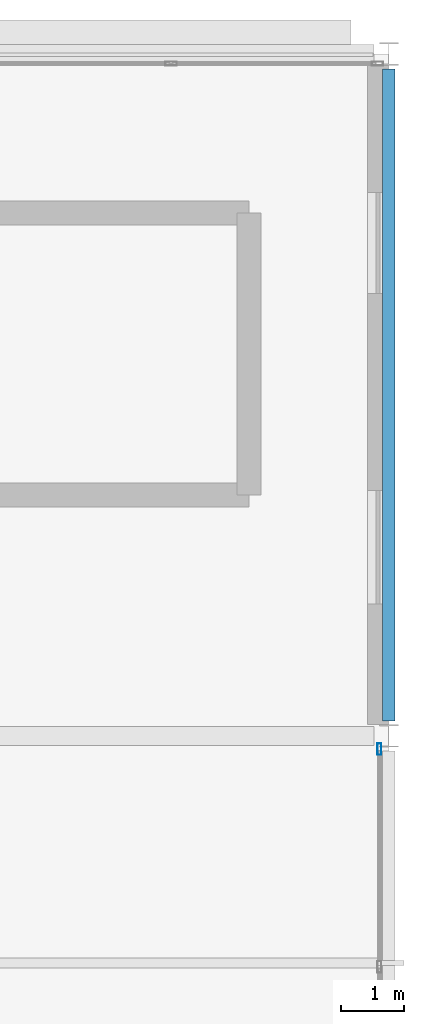
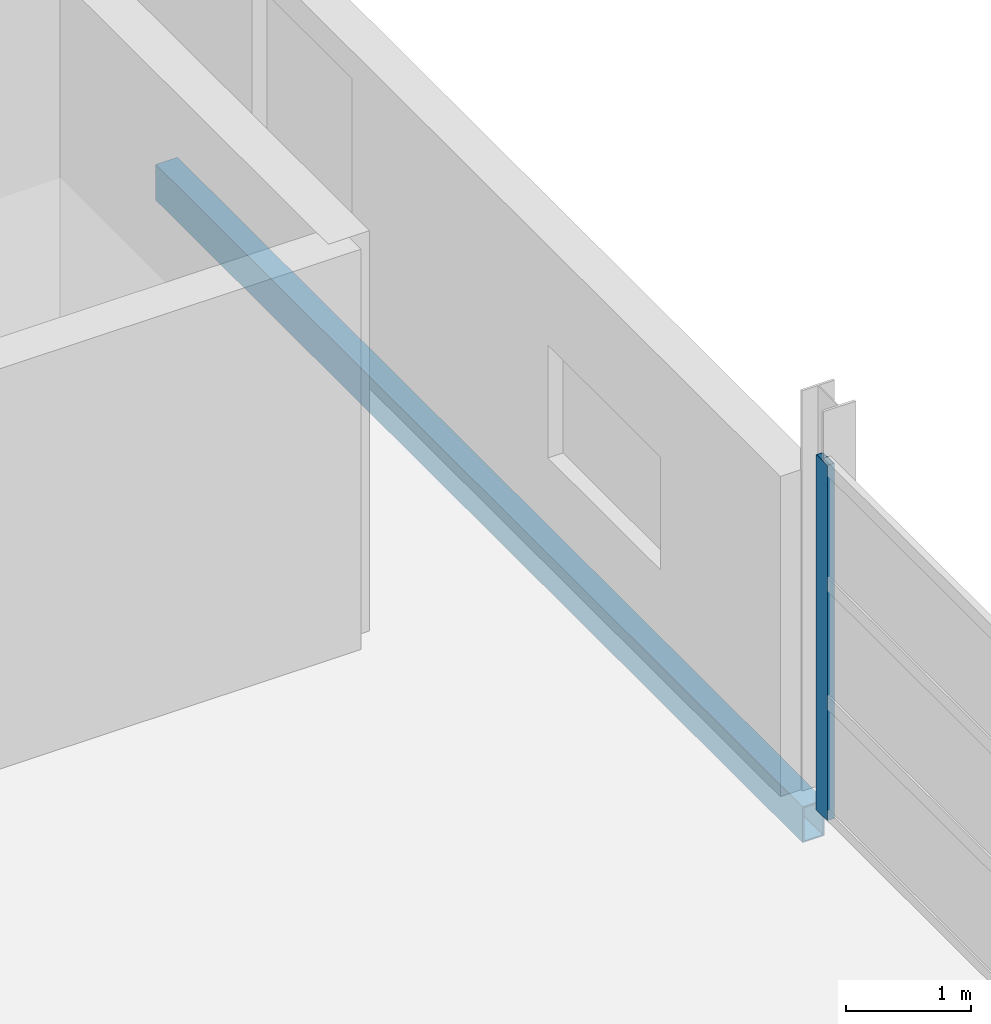
# One storey, part 24 of 33: 1 beam, 1 member, 1 element without a shape of its own.
"""IFC4 building model written with IfcOpenShell, lengths in metres."""

from ifc_helpers import new_model, si_unit, direction, frame, origin, origin_2d, place, context, subcontext, project, spatial, hollow_rectangle, extrude, material, layer, layer_set, material_profile, profile_set, type_object, element, aggregate, save


model = new_model("IFC4")

# Units and contexts
model_context = context("Model", 3, precision=1e-05, world=origin(), true_north=direction((0.0, 1.0)))
body_context = subcontext(model_context, "Body", "Model", "MODEL_VIEW")
ifc_project = project(units=[si_unit("LENGTHUNIT", "METRE"), si_unit("AREAUNIT", "SQUARE_METRE"), si_unit("VOLUMEUNIT", "CUBIC_METRE"), si_unit("PLANEANGLEUNIT", "RADIAN"), si_unit("MASSUNIT", "GRAM", prefix="KILO")], contexts=[model_context])

# Site, building, storey
site_placement = place(None, origin())
site = spatial("IfcSite", under=ifc_project, at=site_placement, CompositionType="ELEMENT")
building_placement = place(site_placement, origin())
building = spatial("IfcBuilding", under=site, at=building_placement, Name="Tamarisk Ironworks Central Station", CompositionType="ELEMENT")
storey_placement = place(building_placement, frame((0.0, 0.0, 21.300048828125)))
storey = spatial("IfcBuildingStorey", under=building, at=storey_placement, Name="L04", CompositionType="ELEMENT", Elevation=21.300048828125)

# Beam
ifc_material_1 = material(Name="Structural steel S355J2", Category="steel")
ifc_material_profile_1 = material_profile(ifc_material_1, hollow_rectangle(XDim=0.199951171875, YDim=0.35009765625, WallThickness=0.012451171875, at=origin_2d()), Name="RHS 350x200x12.5")
ifc_profile_set_1 = profile_set([ifc_material_profile_1], Name="Structural steel S355J2")
beam_type = type_object("IfcBeamType", Name="BM-SP01", PredefinedType="SPANDREL", material=ifc_profile_set_1)
beam_placement = place(storey_placement, frame((180.0, 111.837890625, -0.39501953125), z_axis=(0.0, 1.0, 0.0), x_axis=(-1.0, 0.0, 0.0)))
element("IfcBeam", 1, at=beam_placement, inside=storey, type_object=beam_type, Name="L04 primary girder Y-0749", PredefinedType="SPANDREL", context=body_context, shape_type="SweptSolid", body=[
    extrude(hollow_rectangle(XDim=0.199951171875, YDim=0.35009765625, WallThickness=0.012451171875, at=origin_2d()), origin(), (0.0, 0.0, 1.0), 10.32421875),
])

# Curtain wall, member
ifc_material_2 = material(Name="Anodized aluminium alloy 6063-T6", Category="aluminium")
ifc_layer = layer(ifc_material_2, 0.179931640625)
ifc_layer_set = layer_set([ifc_layer], Name="Anodized aluminium alloy 6063-T6")
curtain_wall_type = type_object("IfcCurtainWallType", Name="CW-22", PredefinedType="USERDEFINED", material=ifc_layer_set)
curtain_wall_placement = place(storey_placement, origin())
curtain_wall = element("IfcCurtainWall", 2, at=curtain_wall_placement, inside=storey, type_object=curtain_wall_type, Name="Operations L04 east facade curtain wall 100", ObjectType="GLAZED CURTAIN WALL", PredefinedType="USERDEFINED")
ifc_material_profile_2 = material_profile(ifc_material_2, hollow_rectangle(XDim=0.06494140625, YDim=0.179931640625, WallThickness=0.00390625, at=origin_2d()), Name="ALUM 180x65")
ifc_profile_set_2 = profile_set([ifc_material_profile_2], Name="Anodized aluminium alloy 6063-T6")
member_type = type_object("IfcMemberType", Name="CWM-02", PredefinedType="MULLION", material=ifc_profile_set_2)
member_placement = place(storey_placement, frame((179.85009765625, 111.389404296875, 0.0), z_axis=(0.0, 0.0, 1.0), x_axis=(-1.0, 0.0, 0.0)))
member = element("IfcMember", 3, at=member_placement, type_object=member_type, Name="CW22 mullion 4", PredefinedType="MULLION", context=body_context, shape_type="SweptSolid", body=[
    extrude(hollow_rectangle(XDim=0.06494140625, YDim=0.179931640625, WallThickness=0.00390625, at=origin_2d()), origin(), (0.0, 0.0, 1.0), 3.4599609375),
])
aggregate(curtain_wall, [member])

save(model, "model.ifc")
